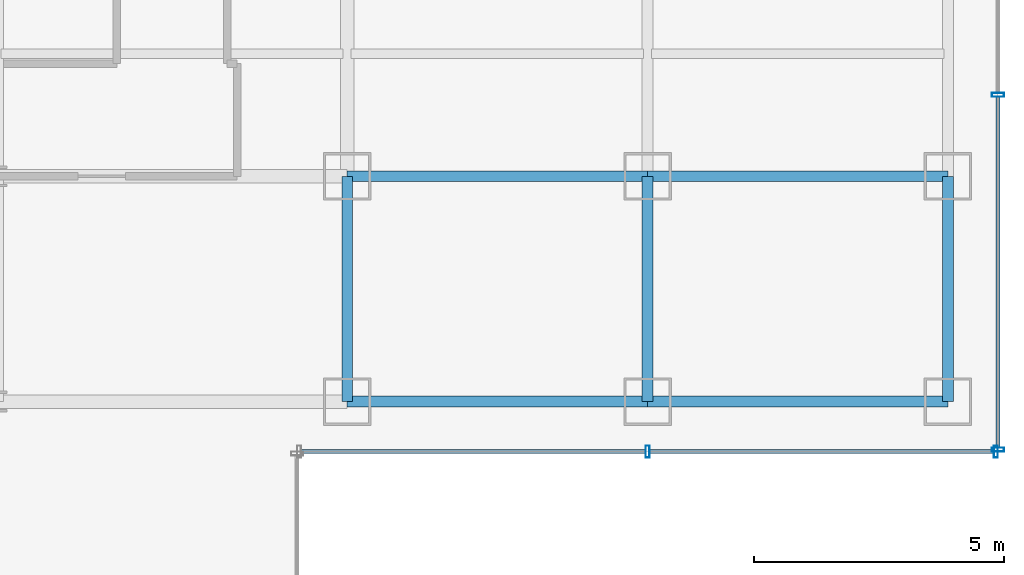
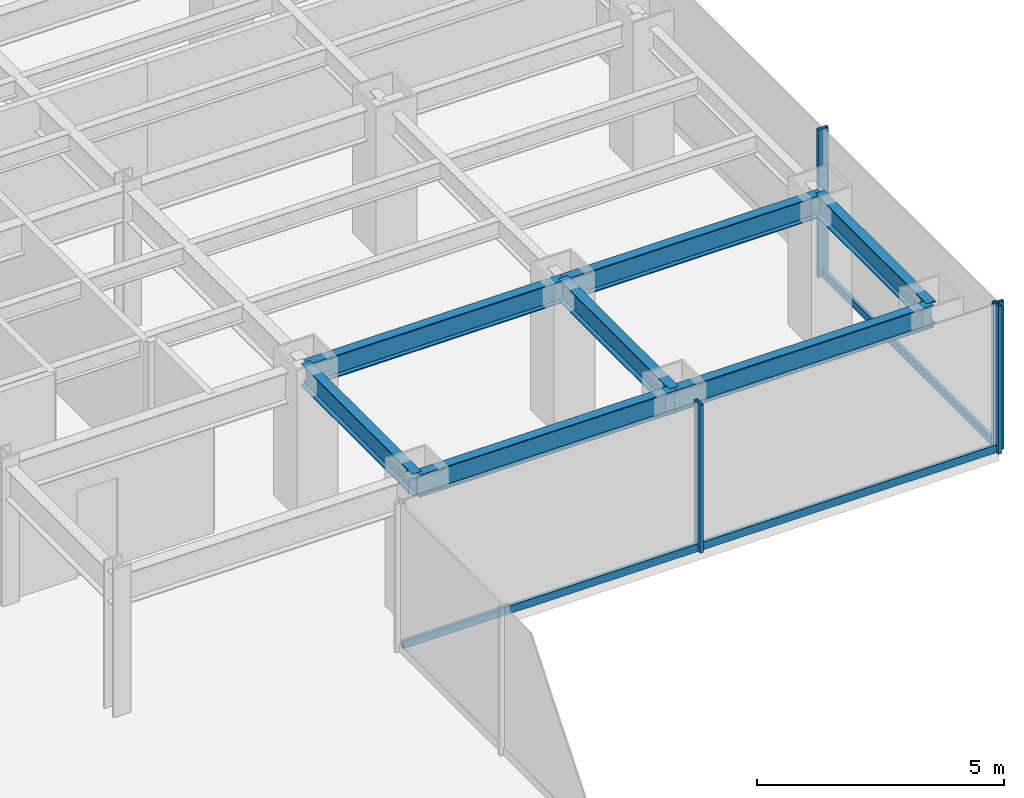
# One storey, part 7 of 23: 7 beams, 7 members, 2 elements without a shape of their own.
"""IFC4 building model written with IfcOpenShell, lengths in metres."""

import ifcopenshell
import ifcopenshell.guid

model = None  # the IFC model being written
_history = None  # IfcOwnerHistory: only IFC2X3 demands one
_inside = {}  # id of a spatial element -> (the spatial element, [elements in it])
_under = {}  # id of a project, library or spatial element -> (it, [spatial elements below it])
_declared = {}  # id of a project -> (the project, [libraries it declares])
_typed = {}  # id of a type object -> (the type object, [elements of that type])
_made_of = {}  # id of a material, layer set ... -> (it, [elements and type objects made of it])


def new_model(schema):
    """Start an empty IFC model of exactly this schema.

    Asked for "IFC4X3", IfcOpenShell would pick the latest addendum, in which some entities
    have other attributes; the version numbers below select the first issue.
    IFC2X3 requires an IfcOwnerHistory on every rooted entity: one is made here for all.
    """
    global model, _history
    if schema == "IFC4X3":
        model = ifcopenshell.file(schema_version=(4, 3, 0, 0))
    else:
        model = ifcopenshell.file(schema=schema)
    _inside.clear()
    _under.clear()
    _declared.clear()
    _typed.clear()
    _made_of.clear()
    _history = None
    if model.schema == "IFC2X3":
        org = make("IfcOrganization", Name="unknown")
        user = make(
            "IfcPersonAndOrganization",
            ThePerson=make("IfcPerson", FamilyName="unknown"),
            TheOrganization=org,
        )
        app = make(
            "IfcApplication",
            ApplicationDeveloper=org,
            Version="unknown",
            ApplicationFullName="unknown",
            ApplicationIdentifier="unknown",
        )
        _history = make(
            "IfcOwnerHistory",
            OwningUser=user,
            OwningApplication=app,
            ChangeAction="ADDED",
            CreationDate=0,
        )
    return model


def make(cls, **values):
    """One entity of the class cls with the attributes given. An attribute that is None is left unset."""
    return model.create_entity(
        cls, **{name: value for name, value in values.items() if value is not None}
    )


def rooted(cls, **values):
    """An entity with a GlobalId (a new one), such as an element, a storey or a relation."""
    return make(cls, GlobalId=ifcopenshell.guid.new(), OwnerHistory=_history, **values)


def si_unit(unit_type, name, prefix=None):
    """IfcSIUnit, for example si_unit("LENGTHUNIT", "METRE", prefix="MILLI")."""
    return make("IfcSIUnit", UnitType=unit_type, Prefix=prefix, Name=name)


def derived_unit(unit_type, elements):
    """IfcDerivedUnit: a product of units, each with its exponent."""
    return make(
        "IfcDerivedUnit",
        Elements=[
            make("IfcDerivedUnitElement", Unit=unit, Exponent=power)
            for unit, power in elements
        ],
        UnitType=unit_type,
    )


def assignment(units):
    """IfcUnitAssignment: the units of a project."""
    return None if units is None else make("IfcUnitAssignment", Units=units)


def point(xyz):
    """IfcCartesianPoint."""
    return None if xyz is None else make("IfcCartesianPoint", Coordinates=xyz)


def direction(xyz):
    """IfcDirection."""
    return None if xyz is None else make("IfcDirection", DirectionRatios=xyz)


def frame(location, z_axis=None, x_axis=None):
    """IfcAxis2Placement3D, a coordinate frame: its origin and axes. An axis left out is left unset."""
    return make(
        "IfcAxis2Placement3D",
        Location=point(location),
        Axis=direction(z_axis),
        RefDirection=direction(x_axis),
    )


def frame_2d(location, x_axis=None):
    """IfcAxis2Placement2D, a coordinate frame in the plane: its origin and x axis."""
    return make(
        "IfcAxis2Placement2D", Location=point(location), RefDirection=direction(x_axis)
    )


def origin():
    """The frame at (0, 0, 0) with its axes left unset."""
    return frame((0.0, 0.0, 0.0))


def origin_2d():
    """The frame at (0, 0) in the plane with its x axis left unset."""
    return frame_2d((0.0, 0.0))


def place(relative_to, where):
    """IfcLocalPlacement: puts the frame where relative to a parent placement (None: the world)."""
    return make(
        "IfcLocalPlacement", PlacementRelTo=relative_to, RelativePlacement=where
    )


def context(
    kind, dimensions, precision=None, world=None, true_north=None, identifier=None
):
    """IfcGeometricRepresentationContext, for example the 3D "Model" context."""
    return make(
        "IfcGeometricRepresentationContext",
        ContextIdentifier=identifier,
        ContextType=kind,
        CoordinateSpaceDimension=dimensions,
        Precision=precision,
        WorldCoordinateSystem=world,
        TrueNorth=true_north,
    )


def subcontext(parent, identifier, kind, view, scale=None):
    """IfcGeometricRepresentationSubContext, for example "Body" below "Model"."""
    return make(
        "IfcGeometricRepresentationSubContext",
        ContextIdentifier=identifier,
        ContextType=kind,
        ParentContext=parent,
        TargetScale=scale,
        TargetView=view,
    )


def project(units=None, contexts=None):
    """IfcProject with its units and contexts."""
    return rooted(
        "IfcProject",
        Name="project",
        RepresentationContexts=contexts,
        UnitsInContext=assignment(units),
    )


def spatial(cls, under=None, at=None, **own):
    """A site, building, storey or space (cls), placed at a placement, below another one or the project."""
    s = rooted(cls, ObjectPlacement=at, **own)
    if under is not None:
        _under.setdefault(under.id(), (under, []))[1].append(s)
    return s


def profile(cls, at=None, kind="AREA", **sizes):
    """A parametric profile (cls). Its sizes go by their IFC names, for example OverallWidth=200.0."""
    return make(cls, ProfileType=kind, Position=at, **sizes)


def hollow_rectangle(**sizes):
    """IfcRectangleHollowProfileDef."""
    return profile("IfcRectangleHollowProfileDef", **sizes)


def i_section(**sizes):
    """IfcIShapeProfileDef."""
    return profile("IfcIShapeProfileDef", **sizes)


def extrude(swept, where, along, depth):
    """IfcExtrudedAreaSolid: the profile swept, set in the frame where, extruded along a direction by depth."""
    return make(
        "IfcExtrudedAreaSolid",
        SweptArea=swept,
        Position=where,
        ExtrudedDirection=direction(along),
        Depth=depth,
    )


def shape(context_of_items, identifier, shape_type, items):
    """IfcShapeRepresentation: the items that make up one representation, for example the "Body"."""
    return make(
        "IfcShapeRepresentation",
        ContextOfItems=context_of_items,
        RepresentationIdentifier=identifier,
        RepresentationType=shape_type,
        Items=items,
    )


def source(mapping_origin, context_of_items, identifier, shape_type, items):
    """IfcRepresentationMap: a shape defined once, which mapped items show again and again."""
    return make(
        "IfcRepresentationMap",
        MappingOrigin=mapping_origin,
        MappedRepresentation=shape(context_of_items, identifier, shape_type, items),
    )


def transform(
    local_origin,
    x_axis=None,
    y_axis=None,
    z_axis=None,
    scale=None,
    scale2=None,
    scale3=None,
    uniform=True,
):
    """IfcCartesianTransformationOperator3D, or its non-uniform kind. x_axis, y_axis, z_axis: its Axis1, 2, 3."""
    if uniform:
        return make(
            "IfcCartesianTransformationOperator3D",
            Axis1=direction(x_axis),
            Axis2=direction(y_axis),
            LocalOrigin=point(local_origin),
            Scale=scale,
            Axis3=direction(z_axis),
        )
    return make(
        "IfcCartesianTransformationOperator3DnonUniform",
        Axis1=direction(x_axis),
        Axis2=direction(y_axis),
        LocalOrigin=point(local_origin),
        Scale=scale,
        Axis3=direction(z_axis),
        Scale2=scale2,
        Scale3=scale3,
    )


def mapped(mapping_source, mapping_target):
    """IfcMappedItem: shows the shape of a source again, moved by a transform."""
    return make(
        "IfcMappedItem", MappingSource=mapping_source, MappingTarget=mapping_target
    )


def material(Name=None, Category=None):
    """IfcMaterial."""
    return make("IfcMaterial", Name=Name, Category=Category)


def material_profile(
    of_material, cross_section, Name=None, Category=None, Priority=None
):
    """IfcMaterialProfile: a cross section and its material."""
    return make(
        "IfcMaterialProfile",
        Name=Name,
        Material=of_material,
        Profile=cross_section,
        Priority=Priority,
        Category=Category,
    )


def profile_set(profiles, Name=None, composite=None):
    """IfcMaterialProfileSet."""
    return make(
        "IfcMaterialProfileSet",
        Name=Name,
        MaterialProfiles=profiles,
        CompositeProfile=composite,
    )


def made_of(thing, what):
    """Note that an element or type object is made of a material, layer set ...; save() writes the relation."""
    if what is not None:
        _made_of.setdefault(what.id(), (what, []))[1].append(thing)
    return thing


def type_object(cls, material=None, **own):
    """A type object (cls), such as IfcWallType, which elements share."""
    return made_of(rooted(cls, **own), material)


def element(
    cls,
    number,
    at=None,
    inside=None,
    cuts=None,
    type_object=None,
    material=None,
    context=None,
    identifier="Body",
    shape_type=None,
    held_by="IfcProductDefinitionShape",
    body=None,
    shapes=None,
    **own,
):
    """One element of the class cls, such as IfcWall. Its Tag is "e" and its number.

    at: its placement. inside: the storey or other place that contains it. cuts: it is an
    opening in that element (IfcRelVoidsElement). A single representation is given by context,
    identifier, shape_type and body (its items); several are given by shapes. held_by: the class
    of the entity that holds the representations. save() writes the other relations.
    """
    e = rooted(cls, Tag="e%d" % number, ObjectPlacement=at, **own)
    if body is not None:
        shapes = [shape(context, identifier, shape_type, body)]
    if shapes is not None:
        e.Representation = make(held_by, Representations=shapes)
    if inside is not None:
        _inside.setdefault(inside.id(), (inside, []))[1].append(e)
    if cuts is not None:
        rooted(
            "IfcRelVoidsElement", RelatingBuildingElement=cuts, RelatedOpeningElement=e
        )
    if type_object is not None:
        _typed.setdefault(type_object.id(), (type_object, []))[1].append(e)
    return made_of(e, material)


def aggregate(whole, parts):
    """IfcRelAggregates: a whole, such as a stair, and the parts it consists of."""
    return rooted("IfcRelAggregates", RelatingObject=whole, RelatedObjects=parts)


def save(model, path):
    """Write the relations noted so far, then the file.

    IfcRelAggregates (storeys below a building ...), IfcRelContainedInSpatialStructure (elements
    in a storey), IfcRelDefinesByType, IfcRelAssociatesMaterial and IfcRelDeclares: one each for
    every whole, place, type object, material and project.
    """
    for whole, parts in _under.values():
        aggregate(whole, parts)
    for where, things in _inside.values():
        rooted(
            "IfcRelContainedInSpatialStructure",
            RelatedElements=things,
            RelatingStructure=where,
        )
    for kind, things in _typed.values():
        rooted("IfcRelDefinesByType", RelatedObjects=things, RelatingType=kind)
    for what, things in _made_of.values():
        rooted("IfcRelAssociatesMaterial", RelatedObjects=things, RelatingMaterial=what)
    for by, libraries in _declared.values():
        rooted("IfcRelDeclares", RelatingContext=by, RelatedDefinitions=libraries)
    model.write(path)


model = new_model("IFC4")

# Units and contexts
model_context = context("Model", 3, precision=1e-05, world=origin(), true_north=direction((0.0, 1.0)))
body_context = subcontext(model_context, "Body", "Model", "MODEL_VIEW")
ifc_project = project(units=[si_unit("LENGTHUNIT", "METRE"), si_unit("AREAUNIT", "SQUARE_METRE"), si_unit("VOLUMEUNIT", "CUBIC_METRE"), si_unit("PLANEANGLEUNIT", "RADIAN"), si_unit("MASSUNIT", "GRAM", prefix="KILO"), derived_unit("THERMALTRANSMITTANCEUNIT", [(si_unit("POWERUNIT", "WATT"), 1), (si_unit("LENGTHUNIT", "METRE"), -2), (si_unit("THERMODYNAMICTEMPERATUREUNIT", "KELVIN"), -1)])], contexts=[model_context])

# Site, building, storey
site_placement = place(None, origin())
site = spatial("IfcSite", under=ifc_project, at=site_placement, CompositionType="ELEMENT")
building_placement = place(site_placement, origin())
building = spatial("IfcBuilding", under=site, at=building_placement, Name="Skarnbrae Concourse Arena and Tower", CompositionType="ELEMENT")
storey_placement = place(building_placement, frame((0.0, 0.0, 50.75)))
storey = spatial("IfcBuildingStorey", under=building, at=storey_placement, Name="L11", CompositionType="ELEMENT", Elevation=50.75)

# Beams
ifc_material_1 = material(Name="Steel CSA G40.21 350W", Category="steel")
ifc_material_profile_1 = material_profile(ifc_material_1, i_section(OverallWidth=0.214111328125, OverallDepth=0.549072265625, WebThickness=0.0146484375, FlangeThickness=0.023681640625, at=origin_2d()), Name="W530X138")
ifc_profile_set_1 = profile_set([ifc_material_profile_1], Name="Steel CSA G40.21 350W")
beam_type = type_object("IfcBeamType", Name="BM-SPAN-W530X138", PredefinedType="SPANDREL", material=ifc_profile_set_1)
shared_shape_1 = source(origin(), body_context, "Body", "SweptSolid", [
    extrude(i_section(OverallWidth=0.214111328125, OverallDepth=0.549072265625, WebThickness=0.0146484375, FlangeThickness=0.023681640625, at=origin_2d()), origin(), (0.0, 0.0, 1.0), 6.0),
])
for number, where, z_axis, x_axis, name in (
    (1, (49.0, 9.5, 3.12548828125), (1.0, 0.0, 0.0), (0.0, 1.0, 0.0), "L11 Perimeter spandrel Y9.5-3"),
    (2, (55.0, 9.5, 3.12548828125), (1.0, 0.0, 0.0), (0.0, 1.0, 0.0), "L11 Perimeter spandrel Y9.5-4"),
    (3, (49.0, 14.0, 3.12548828125), (1.0, 0.0, 0.0), (0.0, 1.0, 0.0), "L11 Perimeter spandrel Y14.0-8"),
    (4, (55.0, 14.0, 3.12548828125), (1.0, 0.0, 0.0), (0.0, 1.0, 0.0), "L11 Perimeter spandrel Y14.0-9"),
):
    element("IfcBeam", number, at=place(storey_placement, frame(where, z_axis=z_axis, x_axis=x_axis)), inside=storey, type_object=beam_type, Name=name, PredefinedType="SPANDREL", context=body_context, shape_type="MappedRepresentation", body=[
        mapped(shared_shape_1, transform((0.0, 0.0, 0.0))),
    ])
shared_shape_2 = source(origin(), body_context, "Body", "SweptSolid", [
    extrude(i_section(OverallWidth=0.214111328125, OverallDepth=0.549072265625, WebThickness=0.0146484375, FlangeThickness=0.023681640625, at=origin_2d()), origin(), (0.0, 0.0, 1.0), 4.5),
])
for number, where, z_axis, x_axis, name in (
    (5, (49.0, 9.5, 3.12548828125), (0.0, 1.0, 0.0), (-1.0, 0.0, 0.0), "L11 Perimeter spandrel X49.0-1"),
    (6, (55.0, 9.5, 3.12548828125), (0.0, 1.0, 0.0), (-1.0, 0.0, 0.0), "L11 Perimeter spandrel X55.0-1"),
    (7, (61.0, 9.5, 3.12548828125), (0.0, 1.0, 0.0), (-1.0, 0.0, 0.0), "L11 Perimeter spandrel X61.0-1"),
):
    element("IfcBeam", number, at=place(storey_placement, frame(where, z_axis=z_axis, x_axis=x_axis)), inside=storey, type_object=beam_type, Name=name, PredefinedType="SPANDREL", context=body_context, shape_type="MappedRepresentation", body=[
        mapped(shared_shape_2, transform((0.0, 0.0, 0.0))),
    ])

# Curtain wall, members
ifc_material_2 = material(Name="Bronze anodised aluminium 6063-T6", Category="aluminium")
curtain_wall_type = type_object("IfcCurtainWallType", Name="CW-SYS-02-LOWZONE", PredefinedType="USERDEFINED", material=ifc_material_2)
curtain_wall_1_placement = place(storey_placement, origin())
curtain_wall_1 = element("IfcCurtainWall", 8, at=curtain_wall_1_placement, inside=storey, type_object=curtain_wall_type, Name="L11 Unitised curtain wall CW-L11-E03", ObjectType="UNITISED CURTAIN WALL", PredefinedType="USERDEFINED")
ifc_material_profile_2 = material_profile(ifc_material_2, hollow_rectangle(XDim=0.080078125, YDim=0.239990234375, WallThickness=0.0048828125, at=origin_2d()), Name="ALU-MULL-80X240")
ifc_profile_set_2 = profile_set([ifc_material_profile_2], Name="Bronze anodised aluminium 6063-T6")
member_type_1 = type_object("IfcMemberType", Name="CWM-CW-02", PredefinedType="MULLION", material=ifc_profile_set_2)
shared_shape_3 = source(origin(), body_context, "Body", "SweptSolid", [
    extrude(hollow_rectangle(XDim=0.080078125, YDim=0.239990234375, WallThickness=0.0048828125, at=origin_2d()), origin(), (0.0, 0.0, 1.0), 3.64990234375),
])
member_1_placement = place(storey_placement, frame((55.0, 8.5, 0.0), z_axis=(0.0, 0.0, 1.0), x_axis=(1.0, 0.0, 0.0)))
member_1 = element("IfcMember", 9, at=member_1_placement, type_object=member_type_1, Name="CW-L11-E03 Mullion 2", PredefinedType="MULLION", context=body_context, shape_type="MappedRepresentation", body=[
    mapped(shared_shape_3, transform((0.0, 0.0, 0.0))),
])
member_2_placement = place(storey_placement, frame((61.9599609375, 8.5, 0.0), z_axis=(0.0, 0.0, 1.0), x_axis=(1.0, 0.0, 0.0)))
member_2 = element("IfcMember", 10, at=member_2_placement, type_object=member_type_1, Name="CW-L11-E03 Mullion 3", PredefinedType="MULLION", context=body_context, shape_type="MappedRepresentation", body=[
    mapped(shared_shape_3, transform((0.0, 0.0, 0.0))),
])

curtain_wall_2_placement = place(storey_placement, origin())
curtain_wall_2 = element("IfcCurtainWall", 11, at=curtain_wall_2_placement, inside=storey, type_object=curtain_wall_type, Name="L11 Unitised curtain wall CW-L11-E04", ObjectType="UNITISED CURTAIN WALL", PredefinedType="USERDEFINED")
member_3_placement = place(storey_placement, frame((62.0, 8.5400390625, 0.0), z_axis=(0.0, 0.0, 1.0), x_axis=(0.0, 1.0, 0.0)))
member_3 = element("IfcMember", 12, at=member_3_placement, type_object=member_type_1, Name="CW-L11-E04 Mullion 1", PredefinedType="MULLION", context=body_context, shape_type="MappedRepresentation", body=[
    mapped(shared_shape_3, transform((0.0, 0.0, 0.0))),
])
member_4_placement = place(storey_placement, frame((62.0, 15.625, 0.0), z_axis=(0.0, 0.0, 1.0), x_axis=(0.0, 1.0, 0.0)))
member_4 = element("IfcMember", 13, at=member_4_placement, type_object=member_type_1, Name="CW-L11-E04 Mullion 2", PredefinedType="MULLION", context=body_context, shape_type="MappedRepresentation", body=[
    mapped(shared_shape_3, transform((0.0, 0.0, 0.0))),
])

# Member
ifc_material_profile_3 = material_profile(ifc_material_2, hollow_rectangle(XDim=0.080078125, YDim=0.18994140625, WallThickness=0.0048828125, at=origin_2d()), Name="ALU-TRAN-80X190")
ifc_profile_set_3 = profile_set([ifc_material_profile_3], Name="Bronze anodised aluminium 6063-T6")
member_type_2 = type_object("IfcMemberType", Name="CWT-CW-02", PredefinedType="USERDEFINED", material=ifc_profile_set_3)
shared_shape_4 = source(origin(), body_context, "Body", "SweptSolid", [
    extrude(hollow_rectangle(XDim=0.080078125, YDim=0.18994140625, WallThickness=0.0048828125, at=origin_2d()), origin(), (0.0, 0.0, 1.0), 6.8798828125),
])
member_5_placement = place(storey_placement, frame((48.080078125, 8.5, 0.094970703125), z_axis=(1.0, 0.0, 0.0), x_axis=(0.0, 1.0, 0.0)))
member_5 = element("IfcMember", 14, at=member_5_placement, type_object=member_type_2, Name="CW-L11-E03 Transom 1", ObjectType="TRANSOM", PredefinedType="USERDEFINED", context=body_context, shape_type="MappedRepresentation", body=[
    mapped(shared_shape_4, transform((0.0, 0.0, 0.0))),
])

member_6_placement = place(storey_placement, frame((55.0400390625, 8.5, 0.094970703125), z_axis=(1.0, 0.0, 0.0), x_axis=(0.0, 1.0, 0.0)))
member_6 = element("IfcMember", 15, at=member_6_placement, type_object=member_type_2, Name="CW-L11-E03 Transom 2", ObjectType="TRANSOM", PredefinedType="USERDEFINED", context=body_context, shape_type="MappedRepresentation", body=[
    mapped(shared_shape_4, transform((0.0, 0.0, 0.0))),
])

aggregate(curtain_wall_1, [member_1, member_2, member_5, member_6])

shared_shape_5 = source(origin(), body_context, "Body", "SweptSolid", [
    extrude(hollow_rectangle(XDim=0.080078125, YDim=0.18994140625, WallThickness=0.0048828125, at=origin_2d()), origin(), (0.0, 0.0, 1.0), 7.0048828125),
])
member_7_placement = place(storey_placement, frame((62.0, 8.580078125, 0.094970703125), z_axis=(0.0, 1.0, 0.0), x_axis=(-1.0, 0.0, 0.0)))
member_7 = element("IfcMember", 16, at=member_7_placement, type_object=member_type_2, Name="CW-L11-E04 Transom 1", ObjectType="TRANSOM", PredefinedType="USERDEFINED", context=body_context, shape_type="MappedRepresentation", body=[
    mapped(shared_shape_5, transform((0.0, 0.0, 0.0))),
])

aggregate(curtain_wall_2, [member_3, member_4, member_7])

save(model, "model.ifc")
